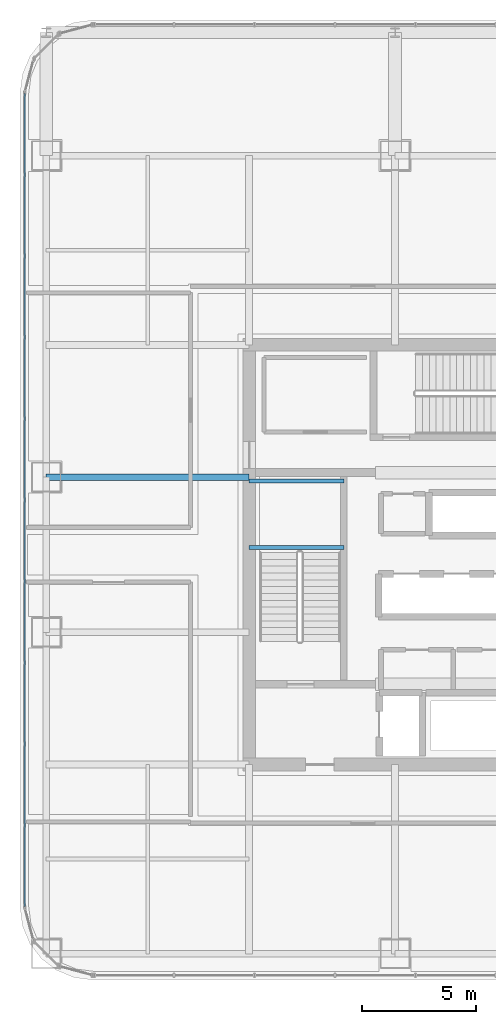
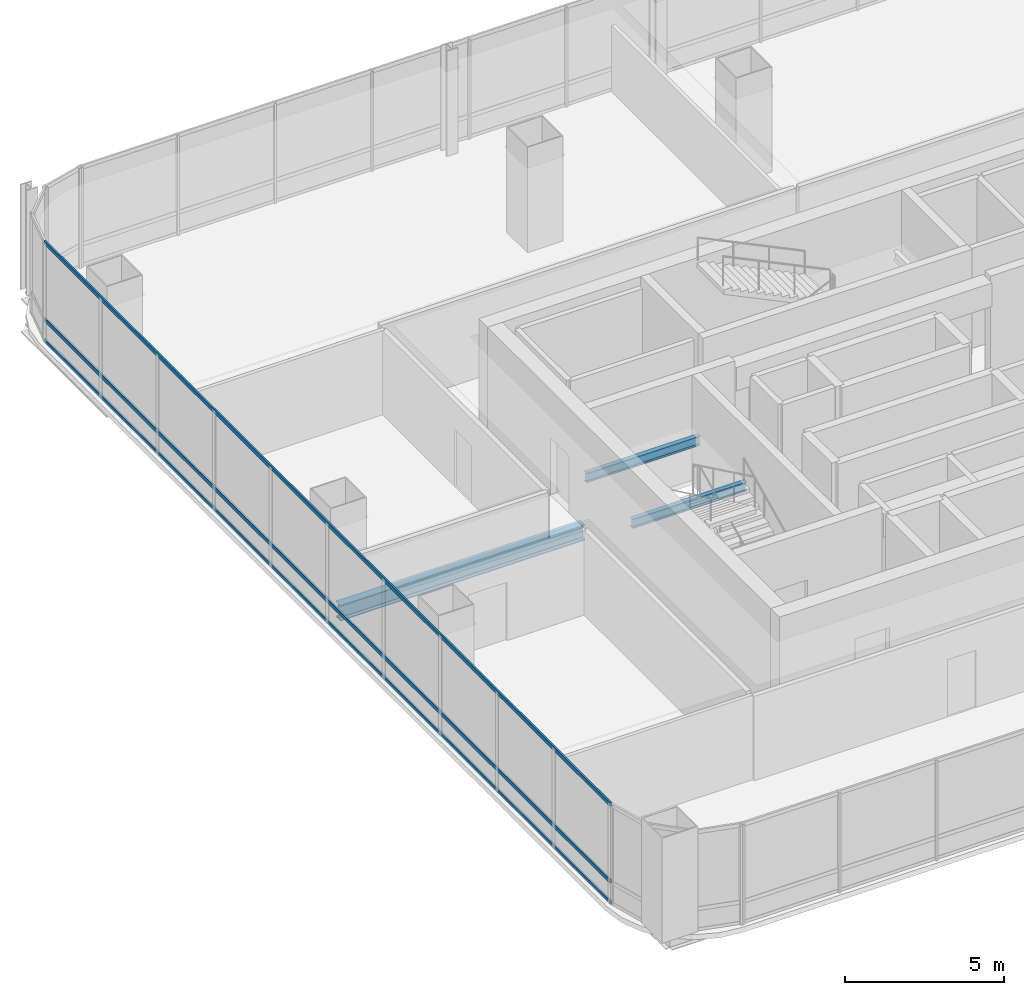
# One storey, part 11 of 39: 3 beams, 3 members, 1 element without a shape of its own.
"""IFC4 building model written with IfcOpenShell, lengths in metres."""

from ifc_helpers import new_model, si_unit, direction, frame, origin, origin_2d, place, context, subcontext, project, spatial, hollow_rectangle, i_section, extrude, material, material_profile, profile_set, type_object, element, aggregate, save


model = new_model("IFC4")

# Units and contexts
model_context = context("Model", 3, precision=1e-05, world=origin(), true_north=direction((0.0, 1.0)))
body_context = subcontext(model_context, "Body", "Model", "MODEL_VIEW")
ifc_project = project(units=[si_unit("LENGTHUNIT", "METRE"), si_unit("AREAUNIT", "SQUARE_METRE"), si_unit("VOLUMEUNIT", "CUBIC_METRE"), si_unit("PLANEANGLEUNIT", "RADIAN"), si_unit("MASSUNIT", "GRAM", prefix="KILO")], contexts=[model_context])

# Site, building, storey
site_placement = place(None, origin())
site = spatial("IfcSite", under=ifc_project, at=site_placement, CompositionType="ELEMENT")
building_placement = place(site_placement, origin())
building = spatial("IfcBuilding", under=site, at=building_placement, Name="Punatoya Terracotta Tower", CompositionType="ELEMENT")
storey_placement = place(building_placement, frame((0.0, 0.0, 275.699951171875)))
storey = spatial("IfcBuildingStorey", under=building, at=storey_placement, Name="L65", CompositionType="ELEMENT", Elevation=275.699951171875)

# Beams
ifc_material_1 = material(Name="Steel S355", Category="steel")
ifc_material_profile_1 = material_profile(ifc_material_1, i_section(OverallWidth=0.300048828125, OverallDepth=0.60009765625, WebThickness=0.015380859375, FlangeThickness=0.030029296875, FilletRadius=0.01806640625, at=origin_2d()))
ifc_profile_set_1 = profile_set([ifc_material_profile_1], Name="Steel S355")
beam_type_1 = type_object("IfcBeamType", Name="BM-PRI-600", PredefinedType="BEAM", material=ifc_profile_set_1)
beam_placement = place(storey_placement, frame((-19.10009765625, 3.39990234375, -0.5), z_axis=(1.0, 0.0, 0.0), x_axis=(0.0, 1.0, 0.0)))
element("IfcBeam", 1, at=beam_placement, inside=storey, type_object=beam_type_1, Name="BM-L65-PR-WE", PredefinedType="BEAM", context=body_context, shape_type="SweptSolid", body=[
    extrude(i_section(OverallWidth=0.300048828125, OverallDepth=0.60009765625, WebThickness=0.015380859375, FlangeThickness=0.030029296875, FilletRadius=0.01806640625, at=origin_2d()), origin(), (0.0, 0.0, 1.0), 8.900146484375),
])
ifc_material_profile_2 = material_profile(ifc_material_1, i_section(OverallWidth=0.169921875, OverallDepth=0.360107421875, WebThickness=0.008056640625, FlangeThickness=0.0126953125, FilletRadius=0.01806640625, at=origin_2d()))
ifc_profile_set_2 = profile_set([ifc_material_profile_2], Name="Steel S355")
beam_type_2 = type_object("IfcBeamType", Name="BM-SEC-360", PredefinedType="JOIST", material=ifc_profile_set_2)
for number, where, z_axis, x_axis, name in (
    (2, (-10.199951171875, 0.320068359375, 1.64501953125), (1.0, 0.0, 0.0), (0.0, 1.0, 0.0), "BM-L65-ST-1-LD1A"),
    (3, (-10.199951171875, 3.22998046875, 1.64501953125), (1.0, 0.0, 0.0), (0.0, 1.0, 0.0), "BM-L65-ST-1-LD1B"),
):
    element("IfcBeam", number, at=place(storey_placement, frame(where, z_axis=z_axis, x_axis=x_axis)), inside=storey, type_object=beam_type_2, Name=name, PredefinedType="JOIST", context=body_context, shape_type="SweptSolid", body=[
        extrude(i_section(OverallWidth=0.169921875, OverallDepth=0.360107421875, WebThickness=0.008056640625, FlangeThickness=0.0126953125, FilletRadius=0.01806640625, at=origin_2d()), origin(), (0.0, 0.0, 1.0), 4.14990234375),
    ])

# Curtain wall, members
ifc_material_2 = material(Name="Aluminium 6063-T6 + Double Low-E Glass", Category="aluminium")
curtain_wall_type = type_object("IfcCurtainWallType", Name="CW-M3", PredefinedType="NOTDEFINED", material=ifc_material_2)
curtain_wall_placement = place(storey_placement, origin())
curtain_wall = element("IfcCurtainWall", 4, at=curtain_wall_placement, inside=storey, type_object=curtain_wall_type, Name="L65 Curtain Wall CW-L65-W13-1", PredefinedType="NOTDEFINED")
ifc_material_3 = material(Name="Aluminium 6063-T6", Category="aluminium")
ifc_material_profile_3 = material_profile(ifc_material_3, hollow_rectangle(XDim=0.068115234375, YDim=0.14990234375, WallThickness=0.00390625, at=origin_2d()))
ifc_profile_set_3 = profile_set([ifc_material_profile_3], Name="Aluminium 6063-T6")
member_type = type_object("IfcMemberType", Name="CW-TRN-TYP", PredefinedType="USERDEFINED", material=ifc_profile_set_3)
member_1_placement = place(storey_placement, frame((-20.050048828125, 20.23681640625, 0.0400390625), z_axis=(0.0, -1.0, 0.0), x_axis=(1.0, 0.0, 0.0)))
member_1 = element("IfcMember", 5, at=member_1_placement, type_object=member_type, Name="CW-L65-W13-1 Transom 1", ObjectType="TRANSOM", PredefinedType="USERDEFINED", context=body_context, shape_type="SweptSolid", body=[
    extrude(hollow_rectangle(XDim=0.068115234375, YDim=0.14990234375, WallThickness=0.00390625, at=origin_2d()), origin(), (0.0, 0.0, 1.0), 35.673828125),
])
member_2_placement = place(storey_placement, frame((-20.050048828125, 20.23681640625, 0.85009765625), z_axis=(0.0, -1.0, 0.0), x_axis=(1.0, 0.0, 0.0)))
member_2 = element("IfcMember", 6, at=member_2_placement, type_object=member_type, Name="CW-L65-W13-1 Transom 2", ObjectType="TRANSOM", PredefinedType="USERDEFINED", context=body_context, shape_type="SweptSolid", body=[
    extrude(hollow_rectangle(XDim=0.068115234375, YDim=0.14990234375, WallThickness=0.00390625, at=origin_2d()), origin(), (0.0, 0.0, 1.0), 35.673828125),
])
member_3_placement = place(storey_placement, frame((-20.050048828125, 20.23681640625, 3.81005859375), z_axis=(0.0, -1.0, 0.0), x_axis=(1.0, 0.0, 0.0)))
member_3 = element("IfcMember", 7, at=member_3_placement, type_object=member_type, Name="CW-L65-W13-1 Transom 3", ObjectType="TRANSOM", PredefinedType="USERDEFINED", context=body_context, shape_type="SweptSolid", body=[
    extrude(hollow_rectangle(XDim=0.068115234375, YDim=0.14990234375, WallThickness=0.00390625, at=origin_2d()), origin(), (0.0, 0.0, 1.0), 35.673828125),
])
aggregate(curtain_wall, [member_1, member_2, member_3])

save(model, "model.ifc")
